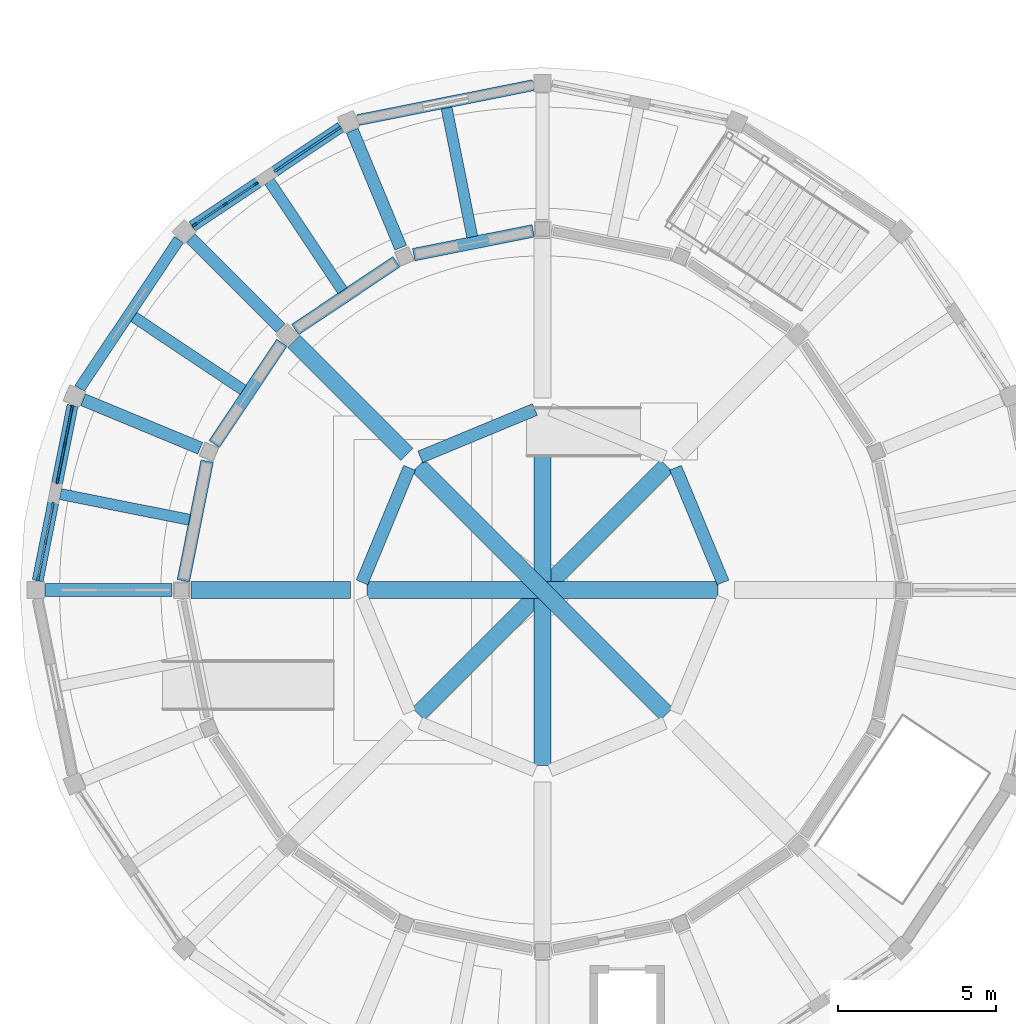
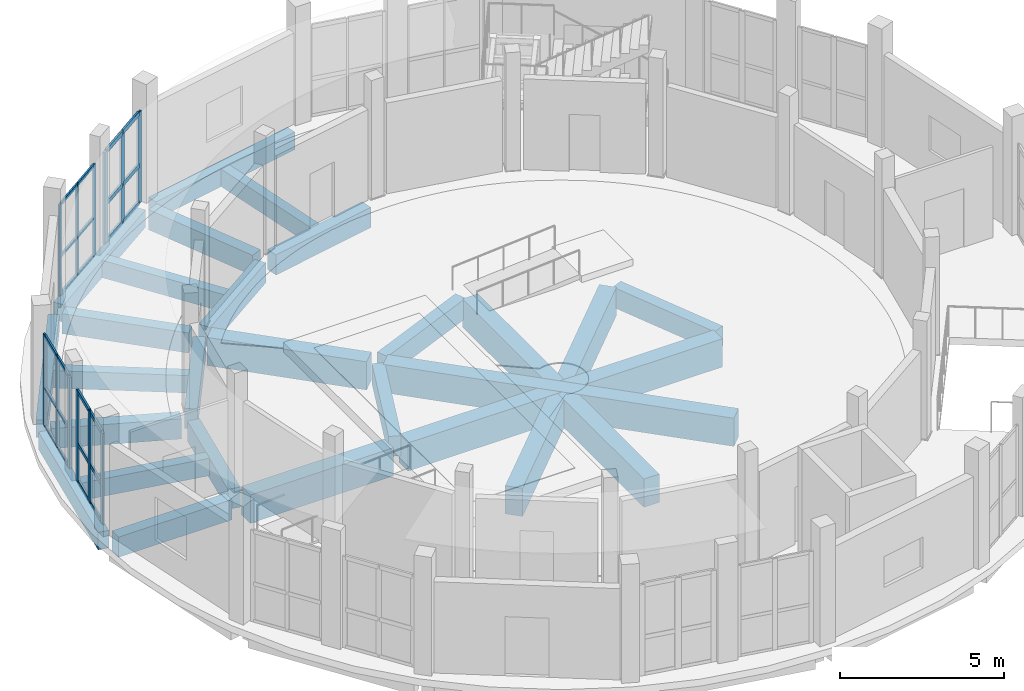
# One storey, part 39 of 92: 36 members, 25 beams, 4 elements without a shape of their own.
"""IFC4 building model written with IfcOpenShell, lengths in metres."""

from ifc_helpers import new_model, si_unit, direction, frame, origin, origin_2d, place, context, subcontext, project, spatial, rectangle, extrude, material, layer, layer_set, material_profile, profile_set, type_object, element, aggregate, save


model = new_model("IFC4")

# Units and contexts
model_context = context("Model", 3, precision=1e-05, world=origin(), true_north=direction((0.0, 1.0)))
body_context = subcontext(model_context, "Body", "Model", "MODEL_VIEW")
ifc_project = project(units=[si_unit("LENGTHUNIT", "METRE"), si_unit("AREAUNIT", "SQUARE_METRE"), si_unit("VOLUMEUNIT", "CUBIC_METRE"), si_unit("PLANEANGLEUNIT", "RADIAN"), si_unit("MASSUNIT", "GRAM", prefix="KILO")], contexts=[model_context])

# Site, building, storey
site_placement = place(None, origin())
site = spatial("IfcSite", under=ifc_project, at=site_placement, CompositionType="ELEMENT")
building_placement = place(site_placement, origin())
building = spatial("IfcBuilding", under=site, at=building_placement, Name="Caldaven Crescent School", CompositionType="ELEMENT")
storey_placement = place(building_placement, origin())
storey = spatial("IfcBuildingStorey", under=building, at=storey_placement, Name="L00", CompositionType="ELEMENT", Elevation=0.0)

# Beams
ifc_material_1 = material(Name="Concrete C30/37", Category="concrete")
ifc_material_profile_1 = material_profile(ifc_material_1, rectangle(XDim=0.35009765625, YDim=0.64990234375, at=origin_2d()), Name="RC 350x650")
ifc_profile_set_1 = profile_set([ifc_material_profile_1], Name="Concrete C30/37")
beam_type_1 = type_object("IfcBeamType", Name="BM-RC35", PredefinedType="BEAM", material=ifc_profile_set_1)
beam_1_placement = place(storey_placement, frame((21.28173828125, 109.65234375, -0.5849609375), z_axis=(-0.195109589505, 0.980781447665, 0.0), x_axis=(-0.980781447665, -0.195109589505, 0.0)))
element("IfcBeam", 1, at=beam_1_placement, inside=storey, type_object=beam_type_1, Name="JS-V2-L00-0235", PredefinedType="BEAM", context=body_context, shape_type="SweptSolid", body=[
    extrude(rectangle(XDim=0.35009765625, YDim=0.64990234375, at=origin_2d()), origin(), (0.0, 0.0, 1.0), 4.15185546875),
])
for number, where, z_axis, x_axis, name in (
    (2, (17.1826171875, 107.95458984375, -0.5849609375), (-0.55555487461, 0.831479874258, 0.0), (-0.831479874258, -0.55555487461, 0.0), "JS-V2-L00-0239"),
    (3, (14.04541015625, 104.8173828125, -0.5849609375), (-0.831479874258, 0.55555487461, 0.0), (-0.55555487461, -0.831479874258, 0.0), "JS-V2-L00-0246"),
):
    element("IfcBeam", number, at=place(storey_placement, frame(where, z_axis=z_axis, x_axis=x_axis)), inside=storey, type_object=beam_type_1, Name=name, PredefinedType="BEAM", context=body_context, shape_type="SweptSolid", body=[
        extrude(rectangle(XDim=0.35009765625, YDim=0.64990234375, at=origin_2d()), origin(), (0.0, 0.0, 1.0), 4.151611328125),
    ])
beam_2_placement = place(storey_placement, frame((12.34765625, 100.71826171875, -0.5849609375), z_axis=(-0.980781447665, 0.195109589505, 0.0), x_axis=(-0.195109589505, -0.980781447665, 0.0)))
element("IfcBeam", 4, at=beam_2_placement, inside=storey, type_object=beam_type_1, Name="JS-V2-L00-0250", PredefinedType="BEAM", context=body_context, shape_type="SweptSolid", body=[
    extrude(rectangle(XDim=0.35009765625, YDim=0.64990234375, at=origin_2d()), origin(), (0.0, 0.0, 1.0), 4.15185546875),
])
ifc_material_2 = material(Name="Concrete C35/45", Category="concrete")
ifc_material_profile_2 = material_profile(ifc_material_2, rectangle(XDim=0.39990234375, YDim=0.75, at=origin_2d()), Name="RC 400x750")
ifc_profile_set_2 = profile_set([ifc_material_profile_2], Name="Concrete C35/45")
beam_type_2 = type_object("IfcBeamType", Name="BM-RC40", PredefinedType="BEAM", material=ifc_profile_set_2)
for number, where, z_axis, x_axis, name in (
    (5, (29.200439453125, 98.740234375, -0.635009765625), (-0.382672726631, 0.923883966899, 0.0), (-0.923883966899, -0.382672726631, 0.0), "BM-V2-L00-0207"),
    (6, (23.259765625, 104.200439453125, -0.635009765625), (-0.923883966899, -0.382672726631, 0.0), (0.382672726631, -0.923883966899, 0.0), "BM-V2-L00-0229"),
):
    element("IfcBeam", number, at=place(storey_placement, frame(where, z_axis=z_axis, x_axis=x_axis)), inside=storey, type_object=beam_type_2, Name=name, PredefinedType="BEAM", context=body_context, shape_type="SweptSolid", body=[
        extrude(rectangle(XDim=0.39990234375, YDim=0.75, at=origin_2d()), origin(), (0.0, 0.0, 1.0), 3.919189453125),
    ])
beam_3_placement = place(storey_placement, frame((23.205810546875, 109.841552734375, -0.635009765625), z_axis=(-0.980785113937, -0.195091158895, 0.0), x_axis=(0.195091158895, -0.980785113937, 0.0)))
element("IfcBeam", 7, at=beam_3_placement, inside=storey, type_object=beam_type_2, Name="BM-V2-L00-0232", PredefinedType="BEAM", context=body_context, shape_type="SweptSolid", body=[
    extrude(rectangle(XDim=0.39990234375, YDim=0.75, at=origin_2d()), origin(), (0.0, 0.0, 1.0), 3.84814453125),
])
beam_4_placement = place(storey_placement, frame((19.022705078125, 109.309326171875, -0.635009765625), z_axis=(-0.382686001036, 0.923878468529, 0.0), x_axis=(-0.923878468529, -0.382686001036, 0.0)))
element("IfcBeam", 8, at=beam_4_placement, inside=storey, type_object=beam_type_2, Name="BM-V2-L00-0236", PredefinedType="BEAM", context=body_context, shape_type="SweptSolid", body=[
    extrude(rectangle(XDim=0.39990234375, YDim=0.75, at=origin_2d()), origin(), (0.0, 0.0, 1.0), 4.0),
])
beam_5_placement = place(storey_placement, frame((18.887939453125, 108.865478515625, -0.635009765625), z_axis=(-0.831483711162, -0.555549132006, 0.0), x_axis=(0.555549132006, -0.831483711162, 0.0)))
element("IfcBeam", 9, at=beam_5_placement, inside=storey, type_object=beam_type_2, Name="BM-V2-L00-0237", PredefinedType="BEAM", context=body_context, shape_type="SweptSolid", body=[
    extrude(rectangle(XDim=0.39990234375, YDim=0.75, at=origin_2d()), origin(), (0.0, 0.0, 1.0), 3.847900390625),
])
beam_6_placement = place(storey_placement, frame((19.29931640625, 102.361083984375, -0.635009765625), z_axis=(-0.382672726631, -0.923883966899, 0.0), x_axis=(0.923883966899, -0.382672726631, 0.0)))
element("IfcBeam", 10, at=beam_6_placement, inside=storey, type_object=beam_type_2, Name="BM-V2-L00-0240", PredefinedType="BEAM", context=body_context, shape_type="SweptSolid", body=[
    extrude(rectangle(XDim=0.39990234375, YDim=0.75, at=origin_2d()), origin(), (0.0, 0.0, 1.0), 3.919189453125),
])
beam_7_placement = place(storey_placement, frame((15.226806640625, 106.773193359375, -0.635009765625), z_axis=(-0.707106781187, 0.707106781187, 0.0), x_axis=(-0.707106781187, -0.707106781187, 0.0)))
element("IfcBeam", 11, at=beam_7_placement, inside=storey, type_object=beam_type_2, Name="BM-V2-L00-0242", PredefinedType="BEAM", context=body_context, shape_type="SweptSolid", body=[
    extrude(rectangle(XDim=0.39990234375, YDim=0.75, at=origin_2d()), origin(), (0.0, 0.0, 1.0), 4.0),
])
beam_8_placement = place(storey_placement, frame((15.272216796875, 106.3115234375, -0.635009765625), z_axis=(-0.555549132006, -0.831483711162, 0.0), x_axis=(0.831483711162, -0.555549132006, 0.0)))
element("IfcBeam", 12, at=beam_8_placement, inside=storey, type_object=beam_type_2, Name="BM-V2-L00-0243", PredefinedType="BEAM", context=body_context, shape_type="SweptSolid", body=[
    extrude(rectangle(XDim=0.39990234375, YDim=0.75, at=origin_2d()), origin(), (0.0, 0.0, 1.0), 3.847900390625),
])
beam_9_placement = place(storey_placement, frame((12.690673828125, 102.977294921875, -0.635009765625), z_axis=(-0.923878468529, 0.382686001036, 0.0), x_axis=(-0.382686001036, -0.923878468529, 0.0)))
element("IfcBeam", 13, at=beam_9_placement, inside=storey, type_object=beam_type_2, Name="BM-V2-L00-0247", PredefinedType="BEAM", context=body_context, shape_type="SweptSolid", body=[
    extrude(rectangle(XDim=0.39990234375, YDim=0.75, at=origin_2d()), origin(), (0.0, 0.0, 1.0), 4.0),
])
beam_10_placement = place(storey_placement, frame((12.9091796875, 102.568359375, -0.635009765625), z_axis=(-0.195091158895, -0.980785113937, 0.0), x_axis=(0.980785113937, -0.195091158895, 0.0)))
element("IfcBeam", 14, at=beam_10_placement, inside=storey, type_object=beam_type_2, Name="BM-V2-L00-0248", PredefinedType="BEAM", context=body_context, shape_type="SweptSolid", body=[
    extrude(rectangle(XDim=0.39990234375, YDim=0.75, at=origin_2d()), origin(), (0.0, 0.0, 1.0), 3.84814453125),
])
beam_11_placement = place(storey_placement, frame((11.800048828125, 98.5, -0.635009765625), z_axis=(-1.0, 0.0, 0.0), x_axis=(0.0, -1.0, 0.0)))
element("IfcBeam", 15, at=beam_11_placement, inside=storey, type_object=beam_type_2, Name="BM-V2-L00-0253", PredefinedType="BEAM", context=body_context, shape_type="SweptSolid", body=[
    extrude(rectangle(XDim=0.39990234375, YDim=0.75, at=origin_2d()), origin(), (0.0, 0.0, 1.0), 4.0),
])
ifc_material_profile_3 = material_profile(ifc_material_2, rectangle(XDim=0.550048828125, YDim=1.050048828125, at=origin_2d()), Name="RC 550x1050")
ifc_profile_set_3 = profile_set([ifc_material_profile_3], Name="Concrete C35/45")
beam_type_3 = type_object("IfcBeamType", Name="BM-RC55", PredefinedType="BEAM", material=ifc_profile_set_3)
beam_12_placement = place(storey_placement, frame((29.0400390625, 98.5, -0.784912109375), z_axis=(-1.0, 0.0, 0.0), x_axis=(0.0, -1.0, 0.0)))
element("IfcBeam", 16, at=beam_12_placement, inside=storey, type_object=beam_type_3, Name="BM-V2-DIA-L00-0212", PredefinedType="BEAM", context=body_context, shape_type="SweptSolid", body=[
    extrude(rectangle(XDim=0.550048828125, YDim=1.050048828125, at=origin_2d()), origin(), (0.0, 0.0, 1.0), 11.080078125),
])
beam_13_placement = place(storey_placement, frame((27.41748046875, 102.41748046875, -0.784912109375), z_axis=(-0.707106781187, -0.707106781187, 0.0), x_axis=(0.707106781187, -0.707106781187, 0.0)))
element("IfcBeam", 17, at=beam_13_placement, inside=storey, type_object=beam_type_3, Name="BM-V2-DIA-L00-0223", PredefinedType="BEAM", context=body_context, shape_type="SweptSolid", body=[
    extrude(rectangle(XDim=0.550048828125, YDim=1.050048828125, at=origin_2d()), origin(), (0.0, 0.0, 1.0), 11.080322265625),
])
beam_14_placement = place(storey_placement, frame((23.5, 104.0400390625, -0.784912109375), z_axis=(0.0, -1.0, 0.0), x_axis=(1.0, 0.0, 0.0)))
element("IfcBeam", 18, at=beam_14_placement, inside=storey, type_object=beam_type_3, Name="BM-V2-DIA-L00-0234", PredefinedType="BEAM", context=body_context, shape_type="SweptSolid", body=[
    extrude(rectangle(XDim=0.550048828125, YDim=1.050048828125, at=origin_2d()), origin(), (0.0, 0.0, 1.0), 11.080078125),
])
beam_15_placement = place(storey_placement, frame((19.21484375, 102.78515625, -0.784912109375), z_axis=(-0.707106781187, 0.707106781187, 0.0), x_axis=(-0.707106781187, -0.707106781187, 0.0)))
element("IfcBeam", 19, at=beam_15_placement, inside=storey, type_object=beam_type_3, Name="BM-V2-L00-0241", PredefinedType="BEAM", context=body_context, shape_type="SweptSolid", body=[
    extrude(rectangle(XDim=0.550048828125, YDim=1.050048828125, at=origin_2d()), origin(), (0.0, 0.0, 1.0), 5.039794921875),
])
beam_16_placement = place(storey_placement, frame((19.58251953125, 102.41748046875, -0.784912109375), z_axis=(0.707106781187, -0.707106781187, 0.0), x_axis=(0.707106781187, 0.707106781187, 0.0)))
element("IfcBeam", 20, at=beam_16_placement, inside=storey, type_object=beam_type_3, Name="BM-V2-DIA-L00-0245", PredefinedType="BEAM", context=body_context, shape_type="SweptSolid", body=[
    extrude(rectangle(XDim=0.550048828125, YDim=1.050048828125, at=origin_2d()), origin(), (0.0, 0.0, 1.0), 11.080322265625),
])
beam_17_placement = place(storey_placement, frame((17.43994140625, 98.5, -0.784912109375), z_axis=(-1.0, 0.0, 0.0), x_axis=(0.0, -1.0, 0.0)))
element("IfcBeam", 21, at=beam_17_placement, inside=storey, type_object=beam_type_3, Name="BM-V2-L00-0252", PredefinedType="BEAM", context=body_context, shape_type="SweptSolid", body=[
    extrude(rectangle(XDim=0.550048828125, YDim=1.050048828125, at=origin_2d()), origin(), (0.0, 0.0, 1.0), 5.0400390625),
])

# Curtain wall, members
ifc_material_3 = material(Name="Anodised aluminium AA 6063-T6 and low-E double glazing", Category="aluminium")
ifc_layer_1 = layer(ifc_material_3, 0.2099609375)
ifc_layer_set_1 = layer_set([ifc_layer_1], Name="Anodised aluminium AA 6063-T6 and low-E double glazing")
curtain_wall_type_1 = type_object("IfcCurtainWallType", Name="CW-SYS3", PredefinedType="NOTDEFINED", material=ifc_layer_set_1)
curtain_wall_1_placement = place(storey_placement, origin())
curtain_wall_1 = element("IfcCurtainWall", 22, at=curtain_wall_1_placement, inside=storey, type_object=curtain_wall_type_1, Name="CW-L00-046", PredefinedType="NOTDEFINED")
ifc_material_4 = material(Name="Anodised aluminium AA 6063-T6", Category="aluminium")
ifc_material_profile_4 = material_profile(ifc_material_4, rectangle(XDim=0.06005859375, YDim=0.14990234375, at=origin_2d()), Name="CWM 60x150")
ifc_profile_set_4 = profile_set([ifc_material_profile_4], Name="Anodised aluminium AA 6063-T6")
member_type_1 = type_object("IfcMemberType", Name="CWM-T1", PredefinedType="MULLION", material=ifc_profile_set_4)
member_1_placement = place(storey_placement, frame((14.45751953125, 111.331298828125, 0.0), z_axis=(0.0, 0.0, 1.0), x_axis=(0.555572440609, -0.831468137234, 0.0)))
member_1 = element("IfcMember", 23, at=member_1_placement, type_object=member_type_1, Name="CW3 mullion 1", PredefinedType="MULLION", context=body_context, shape_type="SweptSolid", body=[
    extrude(rectangle(XDim=0.06005859375, YDim=0.14990234375, at=origin_2d()), origin(), (0.0, 0.0, 1.0), 3.39990234375),
])
member_2_placement = place(storey_placement, frame((13.48388671875, 110.680908203125, 0.0), z_axis=(0.0, 0.0, 1.0), x_axis=(0.555572440609, -0.831468137234, 0.0)))
member_2 = element("IfcMember", 24, at=member_2_placement, type_object=member_type_1, Name="CW3 mullion 2", PredefinedType="MULLION", context=body_context, shape_type="SweptSolid", body=[
    extrude(rectangle(XDim=0.06005859375, YDim=0.14990234375, at=origin_2d()), origin(), (0.0, 0.0, 1.0), 3.39990234375),
])
member_3_placement = place(storey_placement, frame((12.510498046875, 110.0302734375, 0.0), z_axis=(0.0, 0.0, 1.0), x_axis=(0.555572440609, -0.831468137234, 0.0)))
member_3 = element("IfcMember", 25, at=member_3_placement, type_object=member_type_1, Name="CW3 mullion 3", PredefinedType="MULLION", context=body_context, shape_type="SweptSolid", body=[
    extrude(rectangle(XDim=0.06005859375, YDim=0.14990234375, at=origin_2d()), origin(), (0.0, 0.0, 1.0), 3.39990234375),
])

ifc_layer_2 = layer(ifc_material_3, 0.22998046875)
ifc_layer_set_2 = layer_set([ifc_layer_2], Name="Anodised aluminium AA 6063-T6 and low-E double glazing")
curtain_wall_type_2 = type_object("IfcCurtainWallType", Name="CW-SYS4", PredefinedType="NOTDEFINED", material=ifc_layer_set_2)
curtain_wall_2_placement = place(storey_placement, origin())
curtain_wall_2 = element("IfcCurtainWall", 26, at=curtain_wall_2_placement, inside=storey, type_object=curtain_wall_type_2, Name="CW-L00-047", PredefinedType="NOTDEFINED")
ifc_material_profile_5 = material_profile(ifc_material_4, rectangle(XDim=0.06494140625, YDim=0.179931640625, at=origin_2d()), Name="CWM 65x180")
ifc_profile_set_5 = profile_set([ifc_material_profile_5], Name="Anodised aluminium AA 6063-T6")
member_type_2 = type_object("IfcMemberType", Name="CWM-T2", PredefinedType="MULLION", material=ifc_profile_set_5)
member_4_placement = place(storey_placement, frame((8.641357421875, 104.238037109375, 0.0), z_axis=(0.0, 0.0, 1.0), x_axis=(0.980785941636, -0.195086997747, 0.0)))
member_4 = element("IfcMember", 27, at=member_4_placement, type_object=member_type_2, Name="CW4 mullion 1", PredefinedType="MULLION", context=body_context, shape_type="SweptSolid", body=[
    extrude(rectangle(XDim=0.06494140625, YDim=0.179931640625, at=origin_2d()), origin(), (0.0, 0.0, 1.0), 3.39990234375),
])
member_5_placement = place(storey_placement, frame((8.413330078125, 103.09228515625, 0.0), z_axis=(0.0, 0.0, 1.0), x_axis=(0.980785941636, -0.195086997747, 0.0)))
member_5 = element("IfcMember", 28, at=member_5_placement, type_object=member_type_2, Name="CW4 mullion 2", PredefinedType="MULLION", context=body_context, shape_type="SweptSolid", body=[
    extrude(rectangle(XDim=0.06494140625, YDim=0.179931640625, at=origin_2d()), origin(), (0.0, 0.0, 1.0), 3.39990234375),
])
member_6_placement = place(storey_placement, frame((8.185546875, 101.946533203125, 0.0), z_axis=(0.0, 0.0, 1.0), x_axis=(0.980785941636, -0.195086997747, 0.0)))
member_6 = element("IfcMember", 29, at=member_6_placement, type_object=member_type_2, Name="CW4 mullion 3", PredefinedType="MULLION", context=body_context, shape_type="SweptSolid", body=[
    extrude(rectangle(XDim=0.06494140625, YDim=0.179931640625, at=origin_2d()), origin(), (0.0, 0.0, 1.0), 3.39990234375),
])

ifc_layer_3 = layer(ifc_material_3, 0.18994140625)
ifc_layer_set_3 = layer_set([ifc_layer_3], Name="Anodised aluminium AA 6063-T6 and low-E double glazing")
curtain_wall_type_3 = type_object("IfcCurtainWallType", Name="CW-SYS2", PredefinedType="NOTDEFINED", material=ifc_layer_set_3)
curtain_wall_3_placement = place(storey_placement, origin())
curtain_wall_3 = element("IfcCurtainWall", 30, at=curtain_wall_3_placement, inside=storey, type_object=curtain_wall_type_3, Name="CW-L00-045", PredefinedType="NOTDEFINED")
ifc_material_profile_6 = material_profile(ifc_material_4, rectangle(XDim=0.070068359375, YDim=0.2099609375, at=origin_2d()), Name="CWM 70x210")
ifc_profile_set_6 = profile_set([ifc_material_profile_6], Name="Anodised aluminium AA 6063-T6")
member_type_3 = type_object("IfcMemberType", Name="CWM-T3", PredefinedType="MULLION", material=ifc_profile_set_6)
member_7_placement = place(storey_placement, frame((17.048583984375, 113.062744140625, 0.0), z_axis=(0.0, 0.0, 1.0), x_axis=(0.555569561758, -0.831470060825, 0.0)))
member_7 = element("IfcMember", 31, at=member_7_placement, type_object=member_type_3, Name="CW2 mullion 1", PredefinedType="MULLION", context=body_context, shape_type="SweptSolid", body=[
    extrude(rectangle(XDim=0.070068359375, YDim=0.2099609375, at=origin_2d()), origin(), (0.0, 0.0, 1.0), 3.39990234375),
])
member_8_placement = place(storey_placement, frame((16.079345703125, 112.4150390625, 0.0), z_axis=(0.0, 0.0, 1.0), x_axis=(0.555569561758, -0.831470060825, 0.0)))
member_8 = element("IfcMember", 32, at=member_8_placement, type_object=member_type_3, Name="CW2 mullion 2", PredefinedType="MULLION", context=body_context, shape_type="SweptSolid", body=[
    extrude(rectangle(XDim=0.070068359375, YDim=0.2099609375, at=origin_2d()), origin(), (0.0, 0.0, 1.0), 3.39990234375),
])
member_9_placement = place(storey_placement, frame((15.110107421875, 111.767333984375, 0.0), z_axis=(0.0, 0.0, 1.0), x_axis=(0.555569561758, -0.831470060825, 0.0)))
member_9 = element("IfcMember", 33, at=member_9_placement, type_object=member_type_3, Name="CW2 mullion 3", PredefinedType="MULLION", context=body_context, shape_type="SweptSolid", body=[
    extrude(rectangle(XDim=0.070068359375, YDim=0.2099609375, at=origin_2d()), origin(), (0.0, 0.0, 1.0), 3.39990234375),
])

ifc_layer_4 = layer(ifc_material_3, 0.169921875)
ifc_layer_set_4 = layer_set([ifc_layer_4], Name="Anodised aluminium AA 6063-T6 and low-E double glazing")
curtain_wall_type_4 = type_object("IfcCurtainWallType", Name="CW-SYS1", PredefinedType="NOTDEFINED", material=ifc_layer_set_4)
curtain_wall_4_placement = place(storey_placement, origin())
curtain_wall_4 = element("IfcCurtainWall", 34, at=curtain_wall_4_placement, inside=storey, type_object=curtain_wall_type_4, Name="CW-L00-048", PredefinedType="NOTDEFINED")
member_10_placement = place(storey_placement, frame((8.031982421875, 101.174072265625, 0.0), z_axis=(0.0, 0.0, 1.0), x_axis=(0.980785144861, -0.19509100343, 0.0)))
member_10 = element("IfcMember", 35, at=member_10_placement, type_object=member_type_3, Name="CW1 mullion 1", PredefinedType="MULLION", context=body_context, shape_type="SweptSolid", body=[
    extrude(rectangle(XDim=0.070068359375, YDim=0.2099609375, at=origin_2d()), origin(), (0.0, 0.0, 1.0), 3.39990234375),
])
member_11_placement = place(storey_placement, frame((7.804443359375, 100.03076171875, 0.0), z_axis=(0.0, 0.0, 1.0), x_axis=(0.980785144861, -0.19509100343, 0.0)))
member_11 = element("IfcMember", 36, at=member_11_placement, type_object=member_type_3, Name="CW1 mullion 2", PredefinedType="MULLION", context=body_context, shape_type="SweptSolid", body=[
    extrude(rectangle(XDim=0.070068359375, YDim=0.2099609375, at=origin_2d()), origin(), (0.0, 0.0, 1.0), 3.39990234375),
])
member_12_placement = place(storey_placement, frame((7.5771484375, 98.887451171875, 0.0), z_axis=(0.0, 0.0, 1.0), x_axis=(0.980785144861, -0.19509100343, 0.0)))
member_12 = element("IfcMember", 37, at=member_12_placement, type_object=member_type_3, Name="CW1 mullion 3", PredefinedType="MULLION", context=body_context, shape_type="SweptSolid", body=[
    extrude(rectangle(XDim=0.070068359375, YDim=0.2099609375, at=origin_2d()), origin(), (0.0, 0.0, 1.0), 3.39990234375),
])

# Member
ifc_material_profile_7 = material_profile(ifc_material_4, rectangle(XDim=0.06005859375, YDim=0.1201171875, at=origin_2d()), Name="CWT 60x120")
ifc_profile_set_7 = profile_set([ifc_material_profile_7], Name="Anodised aluminium AA 6063-T6")
member_type_4 = type_object("IfcMemberType", Name="CWT-T1", PredefinedType="USERDEFINED", material=ifc_profile_set_7)
member_13_placement = place(storey_placement, frame((14.432373046875, 111.314453125, 0.030029296875), z_axis=(-0.831474853518, -0.555562388906, 0.0), x_axis=(0.555562388906, -0.831474853518, 0.0)))
member_13 = element("IfcMember", 38, at=member_13_placement, type_object=member_type_4, Name="CW3 transom 1.1", ObjectType="TRANSOM", PredefinedType="USERDEFINED", context=body_context, shape_type="SweptSolid", body=[
    extrude(rectangle(XDim=0.06005859375, YDim=0.1201171875, at=origin_2d()), origin(), (0.0, 0.0, 1.0), 1.110595703125),
])

member_14_placement = place(storey_placement, frame((14.432373046875, 111.314453125, 1.427978515625), z_axis=(-0.831474853518, -0.555562388906, 0.0), x_axis=(0.555562388906, -0.831474853518, 0.0)))
member_14 = element("IfcMember", 39, at=member_14_placement, type_object=member_type_4, Name="CW3 transom 1.2", ObjectType="TRANSOM", PredefinedType="USERDEFINED", context=body_context, shape_type="SweptSolid", body=[
    extrude(rectangle(XDim=0.06005859375, YDim=0.1201171875, at=origin_2d()), origin(), (0.0, 0.0, 1.0), 1.110595703125),
])

member_15_placement = place(storey_placement, frame((14.432373046875, 111.314453125, 3.3701171875), z_axis=(-0.831474853518, -0.555562388906, 0.0), x_axis=(0.555562388906, -0.831474853518, 0.0)))
member_15 = element("IfcMember", 40, at=member_15_placement, type_object=member_type_4, Name="CW3 transom 1.3", ObjectType="TRANSOM", PredefinedType="USERDEFINED", context=body_context, shape_type="SweptSolid", body=[
    extrude(rectangle(XDim=0.06005859375, YDim=0.1201171875, at=origin_2d()), origin(), (0.0, 0.0, 1.0), 1.110595703125),
])

member_16_placement = place(storey_placement, frame((13.458984375, 110.6640625, 0.030029296875), z_axis=(-0.831542691699, -0.555460846398, 0.0), x_axis=(0.555460846398, -0.831542691699, 0.0)))
member_16 = element("IfcMember", 41, at=member_16_placement, type_object=member_type_4, Name="CW3 transom 2.1", ObjectType="TRANSOM", PredefinedType="USERDEFINED", context=body_context, shape_type="SweptSolid", body=[
    extrude(rectangle(XDim=0.06005859375, YDim=0.1201171875, at=origin_2d()), origin(), (0.0, 0.0, 1.0), 1.110595703125),
])

member_17_placement = place(storey_placement, frame((13.458984375, 110.6640625, 1.427978515625), z_axis=(-0.831542691699, -0.555460846398, 0.0), x_axis=(0.555460846398, -0.831542691699, 0.0)))
member_17 = element("IfcMember", 42, at=member_17_placement, type_object=member_type_4, Name="CW3 transom 2.2", ObjectType="TRANSOM", PredefinedType="USERDEFINED", context=body_context, shape_type="SweptSolid", body=[
    extrude(rectangle(XDim=0.06005859375, YDim=0.1201171875, at=origin_2d()), origin(), (0.0, 0.0, 1.0), 1.110595703125),
])

member_18_placement = place(storey_placement, frame((13.458984375, 110.6640625, 3.3701171875), z_axis=(-0.831542691699, -0.555460846398, 0.0), x_axis=(0.555460846398, -0.831542691699, 0.0)))
member_18 = element("IfcMember", 43, at=member_18_placement, type_object=member_type_4, Name="CW3 transom 2.3", ObjectType="TRANSOM", PredefinedType="USERDEFINED", context=body_context, shape_type="SweptSolid", body=[
    extrude(rectangle(XDim=0.06005859375, YDim=0.1201171875, at=origin_2d()), origin(), (0.0, 0.0, 1.0), 1.110595703125),
])

aggregate(curtain_wall_1, [member_1, member_2, member_3, member_13, member_14, member_15, member_16, member_17, member_18])

member_19_placement = place(storey_placement, frame((8.635009765625, 104.2060546875, 0.030029296875), z_axis=(-0.195179809092, -0.980767476073, 0.0), x_axis=(0.980767476073, -0.195179809092, 0.0)))
member_19 = element("IfcMember", 44, at=member_19_placement, type_object=member_type_4, Name="CW4 transom 1.1", ObjectType="TRANSOM", PredefinedType="USERDEFINED", context=body_context, shape_type="SweptSolid", body=[
    extrude(rectangle(XDim=0.06005859375, YDim=0.1201171875, at=origin_2d()), origin(), (0.0, 0.0, 1.0), 1.103271484375),
])

member_20_placement = place(storey_placement, frame((8.635009765625, 104.2060546875, 1.427978515625), z_axis=(-0.195179809092, -0.980767476073, 0.0), x_axis=(0.980767476073, -0.195179809092, 0.0)))
member_20 = element("IfcMember", 45, at=member_20_placement, type_object=member_type_4, Name="CW4 transom 1.2", ObjectType="TRANSOM", PredefinedType="USERDEFINED", context=body_context, shape_type="SweptSolid", body=[
    extrude(rectangle(XDim=0.06005859375, YDim=0.1201171875, at=origin_2d()), origin(), (0.0, 0.0, 1.0), 1.103271484375),
])

member_21_placement = place(storey_placement, frame((8.635009765625, 104.2060546875, 3.3701171875), z_axis=(-0.195179809092, -0.980767476073, 0.0), x_axis=(0.980767476073, -0.195179809092, 0.0)))
member_21 = element("IfcMember", 46, at=member_21_placement, type_object=member_type_4, Name="CW4 transom 1.3", ObjectType="TRANSOM", PredefinedType="USERDEFINED", context=body_context, shape_type="SweptSolid", body=[
    extrude(rectangle(XDim=0.06005859375, YDim=0.1201171875, at=origin_2d()), origin(), (0.0, 0.0, 1.0), 1.103271484375),
])

member_22_placement = place(storey_placement, frame((8.4072265625, 103.060302734375, 0.030029296875), z_axis=(-0.195179809092, -0.980767476073, 0.0), x_axis=(0.980767476073, -0.195179809092, 0.0)))
member_22 = element("IfcMember", 47, at=member_22_placement, type_object=member_type_4, Name="CW4 transom 2.1", ObjectType="TRANSOM", PredefinedType="USERDEFINED", context=body_context, shape_type="SweptSolid", body=[
    extrude(rectangle(XDim=0.06005859375, YDim=0.1201171875, at=origin_2d()), origin(), (0.0, 0.0, 1.0), 1.103271484375),
])

member_23_placement = place(storey_placement, frame((8.4072265625, 103.060302734375, 1.427978515625), z_axis=(-0.195179809092, -0.980767476073, 0.0), x_axis=(0.980767476073, -0.195179809092, 0.0)))
member_23 = element("IfcMember", 48, at=member_23_placement, type_object=member_type_4, Name="CW4 transom 2.2", ObjectType="TRANSOM", PredefinedType="USERDEFINED", context=body_context, shape_type="SweptSolid", body=[
    extrude(rectangle(XDim=0.06005859375, YDim=0.1201171875, at=origin_2d()), origin(), (0.0, 0.0, 1.0), 1.103271484375),
])

member_24_placement = place(storey_placement, frame((8.4072265625, 103.060302734375, 3.3701171875), z_axis=(-0.195179809092, -0.980767476073, 0.0), x_axis=(0.980767476073, -0.195179809092, 0.0)))
member_24 = element("IfcMember", 49, at=member_24_placement, type_object=member_type_4, Name="CW4 transom 2.3", ObjectType="TRANSOM", PredefinedType="USERDEFINED", context=body_context, shape_type="SweptSolid", body=[
    extrude(rectangle(XDim=0.06005859375, YDim=0.1201171875, at=origin_2d()), origin(), (0.0, 0.0, 1.0), 1.103271484375),
])

aggregate(curtain_wall_2, [member_4, member_5, member_6, member_19, member_20, member_21, member_22, member_23, member_24])

ifc_material_profile_8 = material_profile(ifc_material_4, rectangle(XDim=0.06494140625, YDim=0.139892578125, at=origin_2d()), Name="CWT 65x140")
ifc_profile_set_8 = profile_set([ifc_material_profile_8], Name="Anodised aluminium AA 6063-T6")
member_type_5 = type_object("IfcMemberType", Name="CWT-T2", PredefinedType="USERDEFINED", material=ifc_profile_set_8)
member_25_placement = place(storey_placement, frame((8.025146484375, 101.1396484375, 0.032470703125), z_axis=(-0.195173426117, -0.98076874631, 0.0), x_axis=(0.98076874631, -0.195173426117, 0.0)))
member_25 = element("IfcMember", 50, at=member_25_placement, type_object=member_type_5, Name="CW1 transom 1.1", ObjectType="TRANSOM", PredefinedType="USERDEFINED", context=body_context, shape_type="SweptSolid", body=[
    extrude(rectangle(XDim=0.06494140625, YDim=0.139892578125, at=origin_2d()), origin(), (0.0, 0.0, 1.0), 1.095703125),
])

member_26_placement = place(storey_placement, frame((8.025146484375, 101.1396484375, 1.427978515625), z_axis=(-0.195173426117, -0.98076874631, 0.0), x_axis=(0.98076874631, -0.195173426117, 0.0)))
member_26 = element("IfcMember", 51, at=member_26_placement, type_object=member_type_5, Name="CW1 transom 1.2", ObjectType="TRANSOM", PredefinedType="USERDEFINED", context=body_context, shape_type="SweptSolid", body=[
    extrude(rectangle(XDim=0.06494140625, YDim=0.139892578125, at=origin_2d()), origin(), (0.0, 0.0, 1.0), 1.095703125),
])

member_27_placement = place(storey_placement, frame((8.025146484375, 101.1396484375, 3.367431640625), z_axis=(-0.195173426117, -0.98076874631, 0.0), x_axis=(0.98076874631, -0.195173426117, 0.0)))
member_27 = element("IfcMember", 52, at=member_27_placement, type_object=member_type_5, Name="CW1 transom 1.3", ObjectType="TRANSOM", PredefinedType="USERDEFINED", context=body_context, shape_type="SweptSolid", body=[
    extrude(rectangle(XDim=0.06494140625, YDim=0.139892578125, at=origin_2d()), origin(), (0.0, 0.0, 1.0), 1.095703125),
])

member_28_placement = place(storey_placement, frame((7.797607421875, 99.996337890625, 0.032470703125), z_axis=(-0.194959098501, -0.980811373258, 0.0), x_axis=(0.980811373258, -0.194959098501, 0.0)))
member_28 = element("IfcMember", 53, at=member_28_placement, type_object=member_type_5, Name="CW1 transom 2.1", ObjectType="TRANSOM", PredefinedType="USERDEFINED", context=body_context, shape_type="SweptSolid", body=[
    extrude(rectangle(XDim=0.06494140625, YDim=0.139892578125, at=origin_2d()), origin(), (0.0, 0.0, 1.0), 1.095703125),
])

member_29_placement = place(storey_placement, frame((7.797607421875, 99.996337890625, 1.427978515625), z_axis=(-0.194959098501, -0.980811373258, 0.0), x_axis=(0.980811373258, -0.194959098501, 0.0)))
member_29 = element("IfcMember", 54, at=member_29_placement, type_object=member_type_5, Name="CW1 transom 2.2", ObjectType="TRANSOM", PredefinedType="USERDEFINED", context=body_context, shape_type="SweptSolid", body=[
    extrude(rectangle(XDim=0.06494140625, YDim=0.139892578125, at=origin_2d()), origin(), (0.0, 0.0, 1.0), 1.095703125),
])

member_30_placement = place(storey_placement, frame((7.797607421875, 99.996337890625, 3.367431640625), z_axis=(-0.194959098501, -0.980811373258, 0.0), x_axis=(0.980811373258, -0.194959098501, 0.0)))
member_30 = element("IfcMember", 55, at=member_30_placement, type_object=member_type_5, Name="CW1 transom 2.3", ObjectType="TRANSOM", PredefinedType="USERDEFINED", context=body_context, shape_type="SweptSolid", body=[
    extrude(rectangle(XDim=0.06494140625, YDim=0.139892578125, at=origin_2d()), origin(), (0.0, 0.0, 1.0), 1.095703125),
])

aggregate(curtain_wall_4, [member_10, member_11, member_12, member_25, member_26, member_27, member_28, member_29, member_30])

ifc_material_profile_9 = material_profile(ifc_material_4, rectangle(XDim=0.070068359375, YDim=0.159912109375, at=origin_2d()), Name="CWT 70x160")
ifc_profile_set_9 = profile_set([ifc_material_profile_9], Name="Anodised aluminium AA 6063-T6")
member_type_6 = type_object("IfcMemberType", Name="CWT-T3", PredefinedType="USERDEFINED", material=ifc_profile_set_9)
member_31_placement = place(storey_placement, frame((17.01953125, 113.043212890625, 0.034912109375), z_axis=(-0.831432837215, -0.555625266885, 0.0), x_axis=(0.555625266885, -0.831432837215, 0.0)))
member_31 = element("IfcMember", 56, at=member_31_placement, type_object=member_type_6, Name="CW2 transom 1.1", ObjectType="TRANSOM", PredefinedType="USERDEFINED", context=body_context, shape_type="SweptSolid", body=[
    extrude(rectangle(XDim=0.070068359375, YDim=0.159912109375, at=origin_2d()), origin(), (0.0, 0.0, 1.0), 1.095947265625),
])

member_32_placement = place(storey_placement, frame((17.01953125, 113.043212890625, 1.427978515625), z_axis=(-0.831432837215, -0.555625266885, 0.0), x_axis=(0.555625266885, -0.831432837215, 0.0)))
member_32 = element("IfcMember", 57, at=member_32_placement, type_object=member_type_6, Name="CW2 transom 1.2", ObjectType="TRANSOM", PredefinedType="USERDEFINED", context=body_context, shape_type="SweptSolid", body=[
    extrude(rectangle(XDim=0.070068359375, YDim=0.159912109375, at=origin_2d()), origin(), (0.0, 0.0, 1.0), 1.095947265625),
])

member_33_placement = place(storey_placement, frame((17.01953125, 113.043212890625, 3.364990234375), z_axis=(-0.831432837215, -0.555625266885, 0.0), x_axis=(0.555625266885, -0.831432837215, 0.0)))
member_33 = element("IfcMember", 58, at=member_33_placement, type_object=member_type_6, Name="CW2 transom 1.3", ObjectType="TRANSOM", PredefinedType="USERDEFINED", context=body_context, shape_type="SweptSolid", body=[
    extrude(rectangle(XDim=0.070068359375, YDim=0.159912109375, at=origin_2d()), origin(), (0.0, 0.0, 1.0), 1.095947265625),
])

member_34_placement = place(storey_placement, frame((16.05029296875, 112.3955078125, 0.034912109375), z_axis=(-0.831535754484, -0.555471231492, 0.0), x_axis=(0.555471231492, -0.831535754484, 0.0)))
member_34 = element("IfcMember", 59, at=member_34_placement, type_object=member_type_6, Name="CW2 transom 2.1", ObjectType="TRANSOM", PredefinedType="USERDEFINED", context=body_context, shape_type="SweptSolid", body=[
    extrude(rectangle(XDim=0.070068359375, YDim=0.159912109375, at=origin_2d()), origin(), (0.0, 0.0, 1.0), 1.095703125),
])

member_35_placement = place(storey_placement, frame((16.05029296875, 112.3955078125, 1.427978515625), z_axis=(-0.831535754484, -0.555471231492, 0.0), x_axis=(0.555471231492, -0.831535754484, 0.0)))
member_35 = element("IfcMember", 60, at=member_35_placement, type_object=member_type_6, Name="CW2 transom 2.2", ObjectType="TRANSOM", PredefinedType="USERDEFINED", context=body_context, shape_type="SweptSolid", body=[
    extrude(rectangle(XDim=0.070068359375, YDim=0.159912109375, at=origin_2d()), origin(), (0.0, 0.0, 1.0), 1.095703125),
])

member_36_placement = place(storey_placement, frame((16.05029296875, 112.3955078125, 3.364990234375), z_axis=(-0.831535754484, -0.555471231492, 0.0), x_axis=(0.555471231492, -0.831535754484, 0.0)))
member_36 = element("IfcMember", 61, at=member_36_placement, type_object=member_type_6, Name="CW2 transom 2.3", ObjectType="TRANSOM", PredefinedType="USERDEFINED", context=body_context, shape_type="SweptSolid", body=[
    extrude(rectangle(XDim=0.070068359375, YDim=0.159912109375, at=origin_2d()), origin(), (0.0, 0.0, 1.0), 1.095703125),
])

aggregate(curtain_wall_3, [member_7, member_8, member_9, member_31, member_32, member_33, member_34, member_35, member_36])

# Beams
ifc_material_profile_10 = material_profile(ifc_material_1, rectangle(XDim=0.35009765625, YDim=0.64990234375, at=origin_2d()), Name="RC 350x650")
ifc_profile_set_10 = profile_set([ifc_material_profile_10], Name="Concrete C30/37")
beam_type_4 = type_object("IfcBeamType", Name="SP-RC35", PredefinedType="SPANDREL", material=ifc_profile_set_10)
for number, where, z_axis, x_axis, name in (
    (62, (23.205810546875, 114.44140625, -0.5849609375), (-0.980786476265, -0.195084309916, 0.0), (0.195084309916, -0.980786476265, 0.0), "BM-V2-L00-0233"),
    (63, (17.127685546875, 113.115478515625, -0.5849609375), (-0.831470752768, -0.555568526189, 0.0), (0.555568526189, -0.831470752768, 0.0), "BM-V2-L00-0238"),
    (64, (12.01953125, 109.564208984375, -0.5849609375), (-0.555568526189, -0.831470752768, 0.0), (0.831470752768, -0.555568526189, 0.0), "BM-V2-L00-0244"),
    (65, (8.659423828125, 104.32861328125, -0.5849609375), (-0.195084309916, -0.980786476265, 0.0), (0.980786476265, -0.195084309916, 0.0), "BM-V2-L00-0249"),
):
    element("IfcBeam", number, at=place(storey_placement, frame(where, z_axis=z_axis, x_axis=x_axis)), inside=storey, type_object=beam_type_4, Name=name, PredefinedType="SPANDREL", context=body_context, shape_type="SweptSolid", body=[
        extrude(rectangle(XDim=0.35009765625, YDim=0.64990234375, at=origin_2d()), origin(), (0.0, 0.0, 1.0), 5.642822265625),
    ])

save(model, "model.ifc")
